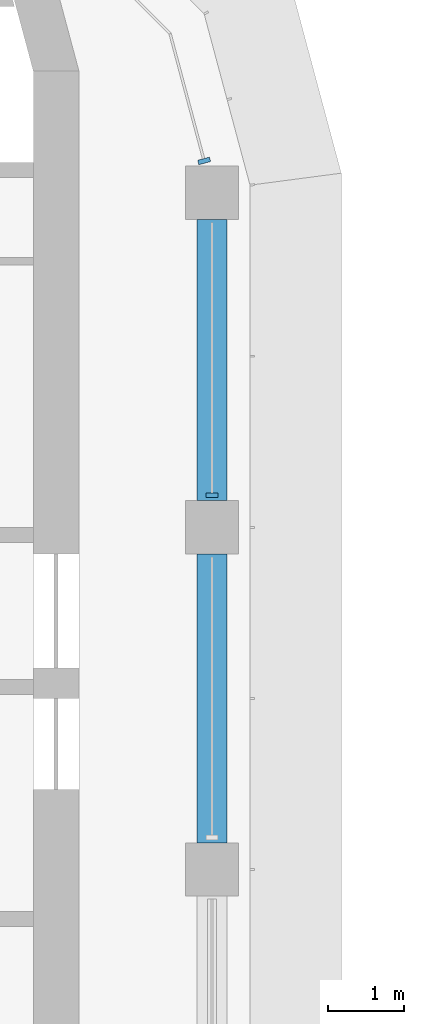
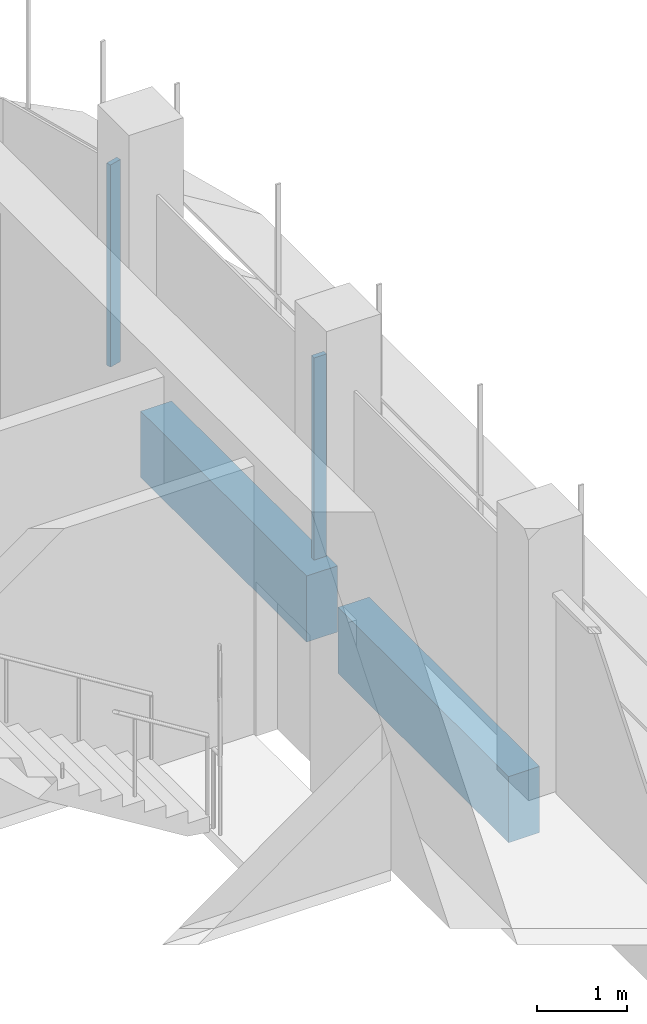
# One storey, part 10 of 19: 2 beams, 2 members, 2 elements without a shape of their own.
"""IFC4 building model written with IfcOpenShell, lengths in metres."""

from ifc_helpers import new_model, si_unit, direction, frame, origin, origin_2d, place, context, subcontext, project, spatial, polyline, rectangle, outline, extrude, source, transform, mapped, material, material_profile, profile_set, type_object, element, aggregate, save


model = new_model("IFC4")

# Units and contexts
model_context = context("Model", 3, precision=1e-05, world=origin(), true_north=direction((0.0, 1.0)))
body_context = subcontext(model_context, "Body", "Model", "MODEL_VIEW")
ifc_project = project(units=[si_unit("LENGTHUNIT", "METRE"), si_unit("AREAUNIT", "SQUARE_METRE"), si_unit("VOLUMEUNIT", "CUBIC_METRE"), si_unit("PLANEANGLEUNIT", "RADIAN"), si_unit("MASSUNIT", "GRAM", prefix="KILO")], contexts=[model_context])

# Site, building, storey
site_placement = place(None, origin())
site = spatial("IfcSite", under=ifc_project, at=site_placement, CompositionType="ELEMENT")
building_placement = place(site_placement, origin())
building = spatial("IfcBuilding", under=site, at=building_placement, Name="Zarbagh Exchange Tower", CompositionType="ELEMENT")
storey_placement = place(building_placement, frame((0.0, 0.0, 222.0)))
storey = spatial("IfcBuildingStorey", under=building, at=storey_placement, Name="L54", CompositionType="ELEMENT", Elevation=222.0)

# Beams
ifc_material_1 = material(Name="Concrete C50/60", Category="concrete")
ifc_material_profile = material_profile(ifc_material_1, rectangle(XDim=0.39990234375, YDim=0.89990234375, at=origin_2d()), Name="RC spandrel beam 400 x 900 C50/60")
ifc_profile_set = profile_set([ifc_material_profile], Name="Concrete C50/60")
beam_type = type_object("IfcBeamType", Name="RC spandrel beam 400 x 900 C50/60", PredefinedType="SPANDREL", material=ifc_profile_set)
beam_1_placement = place(storey_placement, frame((6.25, 24.300048828125, -0.60009765625), z_axis=(0.0, -1.0, 0.0), x_axis=(1.0, 0.0, 0.0)))
element("IfcBeam", 1, at=beam_1_placement, inside=storey, type_object=beam_type, Name="RC spandrel beam", PredefinedType="SPANDREL", context=body_context, shape_type="SweptSolid", body=[
    extrude(rectangle(XDim=0.39990234375, YDim=0.89990234375, at=origin_2d()), origin(), (0.0, 0.0, 1.0), 3.699951171875),
])
beam_2_placement = place(storey_placement, frame((6.25, 19.89990234375, -0.60009765625), z_axis=(0.0, -1.0, 0.0), x_axis=(1.0, 0.0, 0.0)))
element("IfcBeam", 2, at=beam_2_placement, inside=storey, type_object=beam_type, Name="RC spandrel beam", PredefinedType="SPANDREL", context=body_context, shape_type="SweptSolid", body=[
    extrude(rectangle(XDim=0.39990234375, YDim=0.89990234375, at=origin_2d()), origin(), (0.0, 0.0, 1.0), 3.7998046875),
])

# Curtain wall, member
ifc_material_2 = material(Name="Anodised aluminium frame and glazing", Category="aluminium")
curtain_wall_type = type_object("IfcCurtainWallType", Name="CWB Ribbon glazing, upper zones", PredefinedType="NOTDEFINED", material=ifc_material_2)
curtain_wall_1_placement = place(storey_placement, origin())
curtain_wall_1 = element("IfcCurtainWall", 3, at=curtain_wall_1_placement, inside=storey, type_object=curtain_wall_type, Name="CWB67 curtain wall", PredefinedType="NOTDEFINED")
ifc_material_3 = material(Name="Anodised aluminium frame", Category="aluminium")
member_type = type_object("IfcMemberType", Name="MUB Mullion, anodised aluminium frame", PredefinedType="MULLION", material=ifc_material_3)
shared_shape = source(origin(), body_context, "Body", "SweptSolid", [
    extrude(outline(polyline([(0.0, -0.080078125), (0.06005859375, -0.080078125), (0.06005859375, 0.080078125), (0.0, 0.080078125), (0.0, -0.080078125)])), origin(), (0.0, 0.0, 1.0), 2.75),
])
placement = place(storey_placement, origin())
member_1 = element("IfcMember", 4, at=placement, type_object=member_type, Name="CWB67 mullion 3.1", PredefinedType="MULLION", context=body_context, shape_type="MappedRepresentation", body=[
    mapped(shared_shape, transform((6.25, 20.64013671875, 0.0), x_axis=(0.0, 1.0, 0.0), y_axis=(-1.0, 0.0, 0.0), z_axis=(0.0, 0.0, 1.0))),
])
aggregate(curtain_wall_1, [member_1])

curtain_wall_2_placement = place(storey_placement, origin())
curtain_wall_2 = element("IfcCurtainWall", 5, at=curtain_wall_2_placement, inside=storey, type_object=curtain_wall_type, Name="CWB68 curtain wall", PredefinedType="NOTDEFINED")
member_2 = element("IfcMember", 6, at=placement, type_object=member_type, Name="CWB68 mullion 1.1", PredefinedType="MULLION", context=body_context, shape_type="MappedRepresentation", body=[
    mapped(shared_shape, transform((6.154541015625, 25.0400390625, 0.0), x_axis=(-0.258824779902, 0.965924289636, 0.0), y_axis=(-0.965924289636, -0.258824779902, 0.0), z_axis=(0.0, 0.0, 1.0))),
])
aggregate(curtain_wall_2, [member_2])

save(model, "model.ifc")
